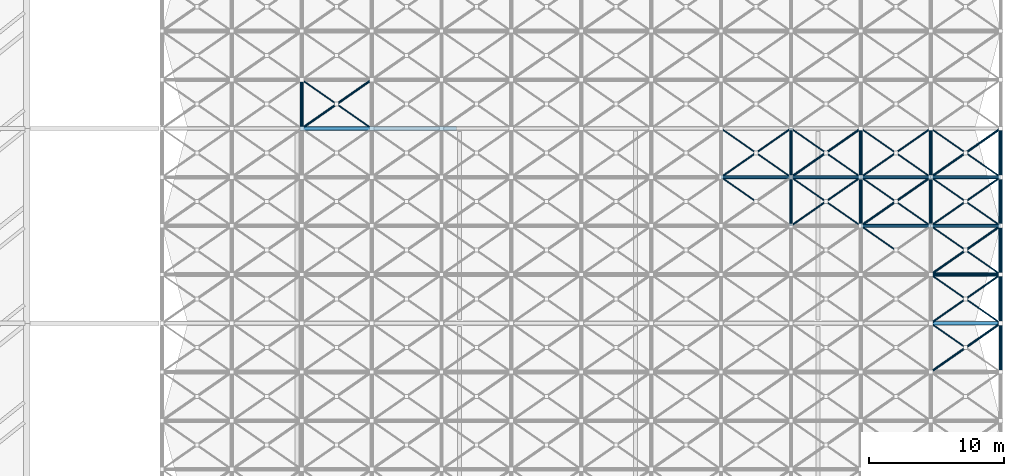
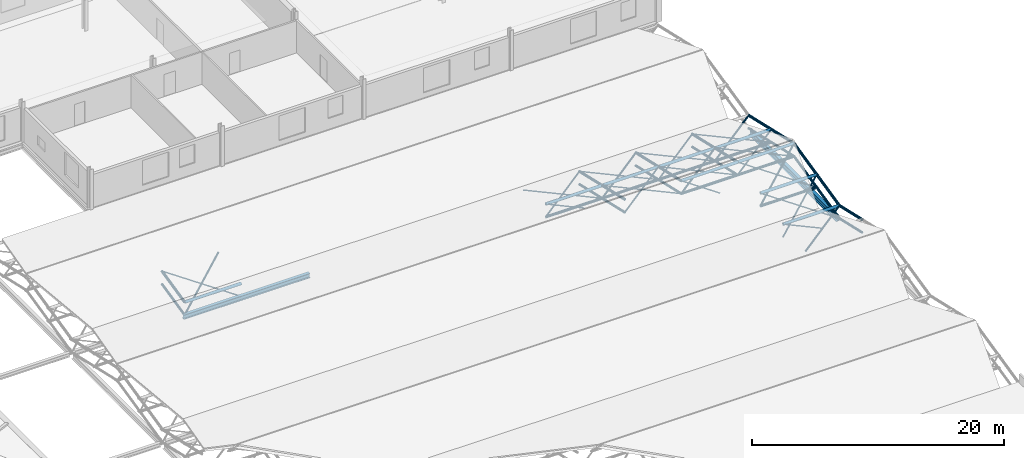
# One storey, part 45 of 110: 74 members, 2 beams.
"""IFC4 building model written with IfcOpenShell, lengths in metres."""

from ifc_helpers import new_model, si_unit, direction, frame, origin, origin_2d, place, context, subcontext, project, spatial, hollow_circle, i_section, extrude, material, material_profile, profile_set, type_object, element, save


model = new_model("IFC4")

# Units and contexts
model_context = context("Model", 3, precision=1e-05, world=origin(), true_north=direction((0.0, 1.0)))
body_context = subcontext(model_context, "Body", "Model", "MODEL_VIEW")
ifc_project = project(units=[si_unit("LENGTHUNIT", "METRE"), si_unit("AREAUNIT", "SQUARE_METRE"), si_unit("VOLUMEUNIT", "CUBIC_METRE"), si_unit("PLANEANGLEUNIT", "RADIAN"), si_unit("MASSUNIT", "GRAM", prefix="KILO")], contexts=[model_context])

# Site, building, storey
site_placement = place(None, origin())
site = spatial("IfcSite", under=ifc_project, at=site_placement, CompositionType="ELEMENT")
building_placement = place(site_placement, origin())
building = spatial("IfcBuilding", under=site, at=building_placement, Name="Tamarisk Ironworks Central Station", CompositionType="ELEMENT")
storey_placement = place(building_placement, frame((0.0, 0.0, 17.39990234375)))
storey = spatial("IfcBuildingStorey", under=building, at=storey_placement, Name="L03", CompositionType="ELEMENT", Elevation=17.39990234375)

# Beams
ifc_material_1 = material(Name="Structural steel S355J2", Category="steel")
ifc_material_profile_1 = material_profile(ifc_material_1, i_section(OverallWidth=0.300048828125, OverallDepth=0.5400390625, WebThickness=0.012451171875, FlangeThickness=0.02392578125, at=origin_2d()), Name="HEA 550")
ifc_profile_set_1 = profile_set([ifc_material_profile_1], Name="Structural steel S355J2")
beam_type_1 = type_object("IfcBeamType", Name="BM-G04", PredefinedType="BEAM", material=ifc_profile_set_1)
beam_1_placement = place(storey_placement, frame((180.0, 50.637939453125, -1.869873046875), z_axis=(0.0, 1.0, 0.0), x_axis=(-1.0, 0.0, 0.0)))
element("IfcBeam", 1, at=beam_1_placement, inside=storey, type_object=beam_type_1, Name="L03 primary girder Y-0621", PredefinedType="BEAM", context=body_context, shape_type="SweptSolid", body=[
    extrude(i_section(OverallWidth=0.300048828125, OverallDepth=0.5400390625, WebThickness=0.012451171875, FlangeThickness=0.02392578125, at=origin_2d()), origin(), (0.0, 0.0, 1.0), 13.924072265625),
])
ifc_material_profile_2 = material_profile(ifc_material_1, i_section(OverallWidth=0.300048828125, OverallDepth=0.43994140625, WebThickness=0.011474609375, FlangeThickness=0.02099609375, at=origin_2d()), Name="HEA 450")
ifc_profile_set_2 = profile_set([ifc_material_profile_2], Name="Structural steel S355J2")
beam_type_2 = type_object("IfcBeamType", Name="BM-G06", PredefinedType="BEAM", material=ifc_profile_set_2)
beam_2_placement = place(storey_placement, frame((128.191162109375, 64.800048828125, -1.81982421875), z_axis=(1.0, 0.0, 0.0), x_axis=(0.0, 1.0, 0.0)))
element("IfcBeam", 2, at=beam_2_placement, inside=storey, type_object=beam_type_2, Name="L03 primary girder X-0573", PredefinedType="BEAM", context=body_context, shape_type="SweptSolid", body=[
    extrude(i_section(OverallWidth=0.300048828125, OverallDepth=0.43994140625, WebThickness=0.011474609375, FlangeThickness=0.02099609375, at=origin_2d()), origin(), (0.0, 0.0, 1.0), 11.56689453125),
])

# Members
ifc_material_2 = material(Name="Structural steel S355J2H", Category="steel")
ifc_material_profile_3 = material_profile(ifc_material_2, hollow_circle(Radius=0.136474609375, WallThickness=0.012451171875, at=origin_2d()), Name="CHS 273x12.5")
ifc_profile_set_3 = profile_set([ifc_material_profile_3], Name="Structural steel S355J2H")
member_type_1 = type_object("IfcMemberType", Name="MB-SFC01", PredefinedType="CHORD", material=ifc_profile_set_3)
for number, where, z_axis, x_axis, name in (
    (3, (174.833251953125, 50.39990234375, -0.469970703125), (1.0, 0.0, 0.0), (0.0, 1.0, 0.0), "Train shed space-frame top chord 1394"),
    (4, (174.833251953125, 54.0, 0.35498046875), (1.0, 0.0, 0.0), (0.0, 1.0, 0.0), "Train shed space-frame top chord 1642"),
):
    element("IfcMember", number, at=place(storey_placement, frame(where, z_axis=z_axis, x_axis=x_axis)), inside=storey, type_object=member_type_1, Name=name, PredefinedType="CHORD", context=body_context, shape_type="SweptSolid", body=[
        extrude(hollow_circle(Radius=0.136474609375, WallThickness=0.012451171875, at=origin_2d()), origin(), (0.0, 0.0, 1.0), 5.166748046875),
    ])
member_1_placement = place(storey_placement, frame((169.666748046875, 57.60009765625, 1.18017578125), z_axis=(1.0, 0.0, 0.0), x_axis=(0.0, 1.0, 0.0)))
element("IfcMember", 5, at=member_1_placement, inside=storey, type_object=member_type_1, Name="Train shed space-frame top chord 1653", PredefinedType="CHORD", context=body_context, shape_type="SweptSolid", body=[
    extrude(hollow_circle(Radius=0.136474609375, WallThickness=0.012451171875, at=origin_2d()), origin(), (0.0, 0.0, 1.0), 5.16650390625),
])
for number, where, z_axis, x_axis, name in (
    (6, (174.833251953125, 57.60009765625, 1.18017578125), (1.0, 0.0, 0.0), (0.0, 1.0, 0.0), "Train shed space-frame top chord 1654"),
    (7, (159.333251953125, 61.199951171875, 0.35498046875), (1.0, 0.0, 0.0), (0.0, 1.0, 0.0), "Train shed space-frame top chord 1663"),
    (8, (164.5, 61.199951171875, 0.35498046875), (1.0, 0.0, 0.0), (0.0, 1.0, 0.0), "Train shed space-frame top chord 1664"),
):
    element("IfcMember", number, at=place(storey_placement, frame(where, z_axis=z_axis, x_axis=x_axis)), inside=storey, type_object=member_type_1, Name=name, PredefinedType="CHORD", context=body_context, shape_type="SweptSolid", body=[
        extrude(hollow_circle(Radius=0.136474609375, WallThickness=0.012451171875, at=origin_2d()), origin(), (0.0, 0.0, 1.0), 5.166748046875),
    ])
member_2_placement = place(storey_placement, frame((169.666748046875, 61.199951171875, 0.35498046875), z_axis=(1.0, 0.0, 0.0), x_axis=(0.0, 1.0, 0.0)))
element("IfcMember", 9, at=member_2_placement, inside=storey, type_object=member_type_1, Name="Train shed space-frame top chord 1665", PredefinedType="CHORD", context=body_context, shape_type="SweptSolid", body=[
    extrude(hollow_circle(Radius=0.136474609375, WallThickness=0.012451171875, at=origin_2d()), origin(), (0.0, 0.0, 1.0), 5.16650390625),
])
for number, where, z_axis, x_axis, name in (
    (10, (174.833251953125, 61.199951171875, 0.35498046875), (1.0, 0.0, 0.0), (0.0, 1.0, 0.0), "Train shed space-frame top chord 1666"),
    (11, (128.333251953125, 64.800048828125, -0.469970703125), (1.0, 0.0, 0.0), (0.0, 1.0, 0.0), "Train shed space-frame top chord 1669"),
):
    element("IfcMember", number, at=place(storey_placement, frame(where, z_axis=z_axis, x_axis=x_axis)), inside=storey, type_object=member_type_1, Name=name, PredefinedType="CHORD", context=body_context, shape_type="SweptSolid", body=[
        extrude(hollow_circle(Radius=0.136474609375, WallThickness=0.012451171875, at=origin_2d()), origin(), (0.0, 0.0, 1.0), 5.166748046875),
    ])
ifc_material_profile_4 = material_profile(ifc_material_2, hollow_circle(Radius=0.122314453125, WallThickness=0.012451171875, at=origin_2d()), Name="CHS 244.5x12.5")
ifc_profile_set_4 = profile_set([ifc_material_profile_4], Name="Structural steel S355J2H")
member_type_2 = type_object("IfcMemberType", Name="MB-SFC02", PredefinedType="CHORD", material=ifc_profile_set_4)
member_3_placement = place(storey_placement, frame((180.0, 46.800048828125, 0.35498046875), z_axis=(0.0, 0.974733218107, -0.223372230857), x_axis=(-1.0, 0.0, 0.0)))
element("IfcMember", 12, at=member_3_placement, inside=storey, type_object=member_type_2, Name="Train shed space-frame top transverse chord 1446", PredefinedType="CHORD", context=body_context, shape_type="SweptSolid", body=[
    extrude(hollow_circle(Radius=0.122314453125, WallThickness=0.012451171875, at=origin_2d()), origin(), (0.0, 0.0, 1.0), 3.693115234375),
])
member_4_placement = place(storey_placement, frame((174.833251953125, 54.0, -0.89501953125), z_axis=(1.0, 0.0, 0.0), x_axis=(0.0, 1.0, 0.0)))
element("IfcMember", 13, at=member_4_placement, inside=storey, type_object=member_type_2, Name="Train shed space-frame bottom chord 1554", PredefinedType="CHORD", context=body_context, shape_type="SweptSolid", body=[
    extrude(hollow_circle(Radius=0.122314453125, WallThickness=0.012451171875, at=origin_2d()), origin(), (0.0, 0.0, 1.0), 5.166748046875),
])
member_5_placement = place(storey_placement, frame((169.666748046875, 57.60009765625, -0.06982421875), z_axis=(1.0, 0.0, 0.0), x_axis=(0.0, 1.0, 0.0)))
element("IfcMember", 14, at=member_5_placement, inside=storey, type_object=member_type_2, Name="Train shed space-frame bottom chord 1565", PredefinedType="CHORD", context=body_context, shape_type="SweptSolid", body=[
    extrude(hollow_circle(Radius=0.122314453125, WallThickness=0.012451171875, at=origin_2d()), origin(), (0.0, 0.0, 1.0), 5.16650390625),
])
for number, where, z_axis, x_axis, name in (
    (15, (174.833251953125, 57.60009765625, -0.06982421875), (1.0, 0.0, 0.0), (0.0, 1.0, 0.0), "Train shed space-frame bottom chord 1566"),
    (16, (159.333251953125, 61.199951171875, -0.89501953125), (1.0, 0.0, 0.0), (0.0, 1.0, 0.0), "Train shed space-frame bottom chord 1575"),
    (17, (164.5, 61.199951171875, -0.89501953125), (1.0, 0.0, 0.0), (0.0, 1.0, 0.0), "Train shed space-frame bottom chord 1576"),
):
    element("IfcMember", number, at=place(storey_placement, frame(where, z_axis=z_axis, x_axis=x_axis)), inside=storey, type_object=member_type_2, Name=name, PredefinedType="CHORD", context=body_context, shape_type="SweptSolid", body=[
        extrude(hollow_circle(Radius=0.122314453125, WallThickness=0.012451171875, at=origin_2d()), origin(), (0.0, 0.0, 1.0), 5.166748046875),
    ])
member_6_placement = place(storey_placement, frame((169.666748046875, 61.199951171875, -0.89501953125), z_axis=(1.0, 0.0, 0.0), x_axis=(0.0, 1.0, 0.0)))
element("IfcMember", 18, at=member_6_placement, inside=storey, type_object=member_type_2, Name="Train shed space-frame bottom chord 1577", PredefinedType="CHORD", context=body_context, shape_type="SweptSolid", body=[
    extrude(hollow_circle(Radius=0.122314453125, WallThickness=0.012451171875, at=origin_2d()), origin(), (0.0, 0.0, 1.0), 5.16650390625),
])
member_7_placement = place(storey_placement, frame((174.833251953125, 61.199951171875, -0.89501953125), z_axis=(1.0, 0.0, 0.0), x_axis=(0.0, 1.0, 0.0)))
element("IfcMember", 19, at=member_7_placement, inside=storey, type_object=member_type_2, Name="Train shed space-frame bottom chord 1578", PredefinedType="CHORD", context=body_context, shape_type="SweptSolid", body=[
    extrude(hollow_circle(Radius=0.122314453125, WallThickness=0.012451171875, at=origin_2d()), origin(), (0.0, 0.0, 1.0), 5.166748046875),
])
member_8_placement = place(storey_placement, frame((164.5, 57.60009765625, 1.18017578125), z_axis=(0.0, 0.974718823144, -0.223435037113), x_axis=(-1.0, 0.0, 0.0)))
element("IfcMember", 20, at=member_8_placement, inside=storey, type_object=member_type_2, Name="Train shed space-frame top transverse chord 1717", PredefinedType="CHORD", context=body_context, shape_type="SweptSolid", body=[
    extrude(hollow_circle(Radius=0.122314453125, WallThickness=0.012451171875, at=origin_2d()), origin(), (0.0, 0.0, 1.0), 3.693115234375),
])
member_9_placement = place(storey_placement, frame((164.5, 61.199951171875, 0.35498046875), z_axis=(0.0, 0.974736516158, -0.223357838607), x_axis=(-1.0, 0.0, 0.0)))
element("IfcMember", 21, at=member_9_placement, inside=storey, type_object=member_type_2, Name="Train shed space-frame top transverse chord 1718", PredefinedType="CHORD", context=body_context, shape_type="SweptSolid", body=[
    extrude(hollow_circle(Radius=0.122314453125, WallThickness=0.012451171875, at=origin_2d()), origin(), (0.0, 0.0, 1.0), 3.693359375),
])
member_10_placement = place(storey_placement, frame((169.666748046875, 57.60009765625, 1.18017578125), z_axis=(0.0, 0.974718823144, -0.223435037113), x_axis=(-1.0, 0.0, 0.0)))
element("IfcMember", 22, at=member_10_placement, inside=storey, type_object=member_type_2, Name="Train shed space-frame top transverse chord 1721", PredefinedType="CHORD", context=body_context, shape_type="SweptSolid", body=[
    extrude(hollow_circle(Radius=0.122314453125, WallThickness=0.012451171875, at=origin_2d()), origin(), (0.0, 0.0, 1.0), 3.693115234375),
])
member_11_placement = place(storey_placement, frame((169.666748046875, 61.199951171875, 0.35498046875), z_axis=(0.0, 0.974736516158, -0.223357838607), x_axis=(-1.0, 0.0, 0.0)))
element("IfcMember", 23, at=member_11_placement, inside=storey, type_object=member_type_2, Name="Train shed space-frame top transverse chord 1722", PredefinedType="CHORD", context=body_context, shape_type="SweptSolid", body=[
    extrude(hollow_circle(Radius=0.122314453125, WallThickness=0.012451171875, at=origin_2d()), origin(), (0.0, 0.0, 1.0), 3.693359375),
])
member_12_placement = place(storey_placement, frame((174.833251953125, 57.60009765625, 1.18017578125), z_axis=(0.0, 0.974718823144, -0.223435037113), x_axis=(-1.0, 0.0, 0.0)))
element("IfcMember", 24, at=member_12_placement, inside=storey, type_object=member_type_2, Name="Train shed space-frame top transverse chord 1725", PredefinedType="CHORD", context=body_context, shape_type="SweptSolid", body=[
    extrude(hollow_circle(Radius=0.122314453125, WallThickness=0.012451171875, at=origin_2d()), origin(), (0.0, 0.0, 1.0), 3.693115234375),
])
for number, where, z_axis, x_axis, name in (
    (25, (174.833251953125, 61.199951171875, 0.35498046875), (0.0, 0.974736516158, -0.223357838607), (-1.0, 0.0, 0.0), "Train shed space-frame top transverse chord 1726"),
    (26, (180.0, 50.39990234375, -0.469970703125), (0.0, 0.974736516158, 0.223357838607), (-1.0, 0.0, 0.0), "Train shed space-frame top transverse chord 1727"),
    (27, (180.0, 54.0, 0.35498046875), (0.0, 0.974722123001, 0.223420641241), (-1.0, 0.0, 0.0), "Train shed space-frame top transverse chord 1728"),
):
    element("IfcMember", number, at=place(storey_placement, frame(where, z_axis=z_axis, x_axis=x_axis)), inside=storey, type_object=member_type_2, Name=name, PredefinedType="CHORD", context=body_context, shape_type="SweptSolid", body=[
        extrude(hollow_circle(Radius=0.122314453125, WallThickness=0.012451171875, at=origin_2d()), origin(), (0.0, 0.0, 1.0), 3.693359375),
    ])
member_13_placement = place(storey_placement, frame((180.0, 57.60009765625, 1.18017578125), z_axis=(0.0, 0.974718823144, -0.223435037113), x_axis=(-1.0, 0.0, 0.0)))
element("IfcMember", 28, at=member_13_placement, inside=storey, type_object=member_type_2, Name="Train shed space-frame top transverse chord 1729", PredefinedType="CHORD", context=body_context, shape_type="SweptSolid", body=[
    extrude(hollow_circle(Radius=0.122314453125, WallThickness=0.012451171875, at=origin_2d()), origin(), (0.0, 0.0, 1.0), 3.693115234375),
])
member_14_placement = place(storey_placement, frame((180.0, 61.199951171875, 0.35498046875), z_axis=(0.0, 0.974736516158, -0.223357838607), x_axis=(-1.0, 0.0, 0.0)))
element("IfcMember", 29, at=member_14_placement, inside=storey, type_object=member_type_2, Name="Train shed space-frame top transverse chord 1730", PredefinedType="CHORD", context=body_context, shape_type="SweptSolid", body=[
    extrude(hollow_circle(Radius=0.122314453125, WallThickness=0.012451171875, at=origin_2d()), origin(), (0.0, 0.0, 1.0), 3.693359375),
])
member_15_placement = place(storey_placement, frame((128.333251953125, 64.800048828125, -0.469970703125), z_axis=(0.0, 0.974733218107, 0.223372230857), x_axis=(-1.0, 0.0, 0.0)))
element("IfcMember", 30, at=member_15_placement, inside=storey, type_object=member_type_2, Name="Train shed space-frame top transverse chord 1971", PredefinedType="CHORD", context=body_context, shape_type="SweptSolid", body=[
    extrude(hollow_circle(Radius=0.122314453125, WallThickness=0.012451171875, at=origin_2d()), origin(), (0.0, 0.0, 1.0), 3.693115234375),
])
ifc_material_profile_5 = material_profile(ifc_material_2, hollow_circle(Radius=0.109619140625, WallThickness=0.010009765625, at=origin_2d()), Name="CHS 219.1x10")
ifc_profile_set_5 = profile_set([ifc_material_profile_5], Name="Structural steel S355J2H")
member_type_3 = type_object("IfcMemberType", Name="MB-SFC03", PredefinedType="CHORD", material=ifc_profile_set_5)
for number, where, z_axis, x_axis, name in (
    (31, (180.0, 46.800048828125, -0.89501953125), (0.0, 0.974733218107, -0.223372230857), (-1.0, 0.0, 0.0), "Train shed space-frame transverse chord 1346"),
    (32, (164.5, 57.60009765625, -0.06982421875), (0.0, 0.974718823144, -0.223435037113), (-1.0, 0.0, 0.0), "Train shed space-frame transverse chord 1617"),
):
    element("IfcMember", number, at=place(storey_placement, frame(where, z_axis=z_axis, x_axis=x_axis)), inside=storey, type_object=member_type_3, Name=name, PredefinedType="CHORD", context=body_context, shape_type="SweptSolid", body=[
        extrude(hollow_circle(Radius=0.109619140625, WallThickness=0.010009765625, at=origin_2d()), origin(), (0.0, 0.0, 1.0), 3.693115234375),
    ])
member_16_placement = place(storey_placement, frame((164.5, 61.199951171875, -0.89501953125), z_axis=(0.0, 0.974736516158, -0.223357838607), x_axis=(-1.0, 0.0, 0.0)))
element("IfcMember", 33, at=member_16_placement, inside=storey, type_object=member_type_3, Name="Train shed space-frame transverse chord 1618", PredefinedType="CHORD", context=body_context, shape_type="SweptSolid", body=[
    extrude(hollow_circle(Radius=0.109619140625, WallThickness=0.010009765625, at=origin_2d()), origin(), (0.0, 0.0, 1.0), 3.693359375),
])
member_17_placement = place(storey_placement, frame((169.666748046875, 57.60009765625, -0.06982421875), z_axis=(0.0, 0.974718823144, -0.223435037113), x_axis=(-1.0, 0.0, 0.0)))
element("IfcMember", 34, at=member_17_placement, inside=storey, type_object=member_type_3, Name="Train shed space-frame transverse chord 1621", PredefinedType="CHORD", context=body_context, shape_type="SweptSolid", body=[
    extrude(hollow_circle(Radius=0.109619140625, WallThickness=0.010009765625, at=origin_2d()), origin(), (0.0, 0.0, 1.0), 3.693115234375),
])
member_18_placement = place(storey_placement, frame((169.666748046875, 61.199951171875, -0.89501953125), z_axis=(0.0, 0.974736516158, -0.223357838607), x_axis=(-1.0, 0.0, 0.0)))
element("IfcMember", 35, at=member_18_placement, inside=storey, type_object=member_type_3, Name="Train shed space-frame transverse chord 1622", PredefinedType="CHORD", context=body_context, shape_type="SweptSolid", body=[
    extrude(hollow_circle(Radius=0.109619140625, WallThickness=0.010009765625, at=origin_2d()), origin(), (0.0, 0.0, 1.0), 3.693359375),
])
member_19_placement = place(storey_placement, frame((174.833251953125, 57.60009765625, -0.06982421875), z_axis=(0.0, 0.974718823144, -0.223435037113), x_axis=(-1.0, 0.0, 0.0)))
element("IfcMember", 36, at=member_19_placement, inside=storey, type_object=member_type_3, Name="Train shed space-frame transverse chord 1625", PredefinedType="CHORD", context=body_context, shape_type="SweptSolid", body=[
    extrude(hollow_circle(Radius=0.109619140625, WallThickness=0.010009765625, at=origin_2d()), origin(), (0.0, 0.0, 1.0), 3.693115234375),
])
for number, where, z_axis, x_axis, name in (
    (37, (174.833251953125, 61.199951171875, -0.89501953125), (0.0, 0.974736516158, -0.223357838607), (-1.0, 0.0, 0.0), "Train shed space-frame transverse chord 1626"),
    (38, (180.0, 50.39990234375, -1.719970703125), (0.0, 0.974736516158, 0.223357838607), (-1.0, 0.0, 0.0), "Train shed space-frame transverse chord 1627"),
    (39, (180.0, 54.0, -0.89501953125), (0.0, 0.974722123001, 0.223420641241), (-1.0, 0.0, 0.0), "Train shed space-frame transverse chord 1628"),
):
    element("IfcMember", number, at=place(storey_placement, frame(where, z_axis=z_axis, x_axis=x_axis)), inside=storey, type_object=member_type_3, Name=name, PredefinedType="CHORD", context=body_context, shape_type="SweptSolid", body=[
        extrude(hollow_circle(Radius=0.109619140625, WallThickness=0.010009765625, at=origin_2d()), origin(), (0.0, 0.0, 1.0), 3.693359375),
    ])
member_20_placement = place(storey_placement, frame((180.0, 57.60009765625, -0.06982421875), z_axis=(0.0, 0.974718823144, -0.223435037113), x_axis=(-1.0, 0.0, 0.0)))
element("IfcMember", 40, at=member_20_placement, inside=storey, type_object=member_type_3, Name="Train shed space-frame transverse chord 1629", PredefinedType="CHORD", context=body_context, shape_type="SweptSolid", body=[
    extrude(hollow_circle(Radius=0.109619140625, WallThickness=0.010009765625, at=origin_2d()), origin(), (0.0, 0.0, 1.0), 3.693115234375),
])
member_21_placement = place(storey_placement, frame((180.0, 61.199951171875, -0.89501953125), z_axis=(0.0, 0.974736516158, -0.223357838607), x_axis=(-1.0, 0.0, 0.0)))
element("IfcMember", 41, at=member_21_placement, inside=storey, type_object=member_type_3, Name="Train shed space-frame transverse chord 1630", PredefinedType="CHORD", context=body_context, shape_type="SweptSolid", body=[
    extrude(hollow_circle(Radius=0.109619140625, WallThickness=0.010009765625, at=origin_2d()), origin(), (0.0, 0.0, 1.0), 3.693359375),
])
member_22_placement = place(storey_placement, frame((128.333251953125, 64.800048828125, -1.719970703125), z_axis=(0.0, 0.974733218107, 0.223372230857), x_axis=(-1.0, 0.0, 0.0)))
element("IfcMember", 42, at=member_22_placement, inside=storey, type_object=member_type_3, Name="Train shed space-frame transverse chord 1871", PredefinedType="CHORD", context=body_context, shape_type="SweptSolid", body=[
    extrude(hollow_circle(Radius=0.109619140625, WallThickness=0.010009765625, at=origin_2d()), origin(), (0.0, 0.0, 1.0), 3.693115234375),
])
ifc_material_profile_6 = material_profile(ifc_material_2, hollow_circle(Radius=0.084228515625, WallThickness=0.010009765625, at=origin_2d()), Name="CHS 168.3x10")
ifc_profile_set_6 = profile_set([ifc_material_profile_6], Name="Structural steel S355J2H")
member_type_4 = type_object("IfcMemberType", Name="MB-SFD01", PredefinedType="BRACE", material=ifc_profile_set_6)
for number, where, z_axis, x_axis, name in (
    (43, (174.833251953125, 46.800048828125, -0.89501953125), (0.818625810636, 0.570365145671, 0.067345250499), (-0.57166297408, 0.820488539875, 0.0), "Train shed space-frame diagonal 1541"),
    (44, (164.5, 61.199951171875, -0.89501953125), (0.818607749421, 0.570391242875, 0.067343764671), (-0.571689073201, 0.82047035509, 0.0), "Train shed space-frame diagonal 1809"),
):
    element("IfcMember", number, at=place(storey_placement, frame(where, z_axis=z_axis, x_axis=x_axis)), inside=storey, type_object=member_type_4, Name=name, PredefinedType="BRACE", context=body_context, shape_type="SweptSolid", body=[
        extrude(hollow_circle(Radius=0.084228515625, WallThickness=0.010009765625, at=origin_2d()), origin(), (0.0, 0.0, 1.0), 6.3115234375),
    ])
member_23_placement = place(storey_placement, frame((169.666748046875, 57.60009765625, -0.06982421875), z_axis=(0.818615182779, 0.570384692849, 0.06730887525), x_axis=(-0.571681159291, 0.820475869305, 0.0)))
element("IfcMember", 45, at=member_23_placement, inside=storey, type_object=member_type_4, Name="Train shed space-frame diagonal 1815", PredefinedType="BRACE", context=body_context, shape_type="SweptSolid", body=[
    extrude(hollow_circle(Radius=0.084228515625, WallThickness=0.010009765625, at=origin_2d()), origin(), (0.0, 0.0, 1.0), 6.311279296875),
])
member_24_placement = place(storey_placement, frame((174.833251953125, 54.0, -0.89501953125), z_axis=(0.779249385031, 0.542967038306, 0.312981135603), x_axis=(-0.571689073201, 0.82047035509, 0.0)))
element("IfcMember", 46, at=member_24_placement, inside=storey, type_object=member_type_4, Name="Train shed space-frame diagonal 1821", PredefinedType="BRACE", context=body_context, shape_type="SweptSolid", body=[
    extrude(hollow_circle(Radius=0.084228515625, WallThickness=0.010009765625, at=origin_2d()), origin(), (0.0, 0.0, 1.0), 6.63037109375),
])
member_25_placement = place(storey_placement, frame((174.833251953125, 61.199951171875, -0.89501953125), z_axis=(0.818607749421, 0.570391242875, 0.067343764671), x_axis=(-0.571689073201, 0.82047035509, 0.0)))
element("IfcMember", 47, at=member_25_placement, inside=storey, type_object=member_type_4, Name="Train shed space-frame diagonal 1825", PredefinedType="BRACE", context=body_context, shape_type="SweptSolid", body=[
    extrude(hollow_circle(Radius=0.084228515625, WallThickness=0.010009765625, at=origin_2d()), origin(), (0.0, 0.0, 1.0), 6.3115234375),
])
member_26_placement = place(storey_placement, frame((128.333251953125, 64.800048828125, -1.719970703125), z_axis=(0.779273944842, 0.542947328672, 0.312954177442), x_axis=(-0.57166297408, 0.820488539875, 0.0)))
element("IfcMember", 48, at=member_26_placement, inside=storey, type_object=member_type_4, Name="Train shed space-frame diagonal 2031", PredefinedType="BRACE", context=body_context, shape_type="SweptSolid", body=[
    extrude(hollow_circle(Radius=0.084228515625, WallThickness=0.010009765625, at=origin_2d()), origin(), (0.0, 0.0, 1.0), 6.630126953125),
])
ifc_material_profile_7 = material_profile(ifc_material_2, hollow_circle(Radius=0.06982421875, WallThickness=0.008056640625, at=origin_2d()), Name="CHS 139.7x8")
ifc_profile_set_7 = profile_set([ifc_material_profile_7], Name="Structural steel S355J2H")
member_type_5 = type_object("IfcMemberType", Name="MB-SFD02", PredefinedType="BRACE", material=ifc_profile_set_7)
for number, where, z_axis, x_axis, name in (
    (49, (159.333251953125, 61.199951171875, -0.89501953125), (0.818607749421, 0.570391242875, 0.067343764671), (-0.571689073201, 0.82047035509, 0.0), "Train shed space-frame diagonal 1801"),
    (50, (164.5, 57.60009765625, -0.06982421875), (0.818627942589, 0.570366631076, 0.06730674385), (-0.57166297408, 0.820488539875, 0.0), "Train shed space-frame diagonal 1807"),
    (51, (169.666748046875, 61.199951171875, -0.89501953125), (0.818594988647, 0.570409304536, 0.067345897138), (-0.571707258436, 0.820457683645, 0.0), "Train shed space-frame diagonal 1817"),
):
    element("IfcMember", number, at=place(storey_placement, frame(where, z_axis=z_axis, x_axis=x_axis)), inside=storey, type_object=member_type_5, Name=name, PredefinedType="BRACE", context=body_context, shape_type="SweptSolid", body=[
        extrude(hollow_circle(Radius=0.06982421875, WallThickness=0.008056640625, at=origin_2d()), origin(), (0.0, 0.0, 1.0), 6.3115234375),
    ])
member_27_placement = place(storey_placement, frame((174.833251953125, 50.39990234375, -1.719970703125), z_axis=(0.77925836502, 0.542973295402, 0.312947920631), x_axis=(-0.571689073201, 0.82047035509, 0.0)))
element("IfcMember", 52, at=member_27_placement, inside=storey, type_object=member_type_5, Name="Train shed space-frame diagonal 1819", PredefinedType="BRACE", context=body_context, shape_type="SweptSolid", body=[
    extrude(hollow_circle(Radius=0.06982421875, WallThickness=0.008056640625, at=origin_2d()), origin(), (0.0, 0.0, 1.0), 6.63037109375),
])
member_28_placement = place(storey_placement, frame((174.833251953125, 57.60009765625, -0.06982421875), z_axis=(0.818627942589, 0.570366631076, 0.06730674385), x_axis=(-0.57166297408, 0.820488539875, 0.0)))
element("IfcMember", 53, at=member_28_placement, inside=storey, type_object=member_type_5, Name="Train shed space-frame diagonal 1823", PredefinedType="BRACE", context=body_context, shape_type="SweptSolid", body=[
    extrude(hollow_circle(Radius=0.06982421875, WallThickness=0.008056640625, at=origin_2d()), origin(), (0.0, 0.0, 1.0), 6.3115234375),
])
ifc_material_profile_8 = material_profile(ifc_material_2, hollow_circle(Radius=0.05712890625, WallThickness=0.00634765625, at=origin_2d()), Name="CHS 114.3x6.3")
ifc_profile_set_8 = profile_set([ifc_material_profile_8], Name="Structural steel S355J2H")
member_type_6 = type_object("IfcMemberType", Name="MB-SFD03", PredefinedType="BRACE", material=ifc_profile_set_8)
for number, where, z_axis, x_axis, name in (
    (54, (177.37158203125, 48.63134765625, -0.6787109375), (-0.81862545828, 0.570368646704, 0.067319877544), (-0.571665501983, -0.820486778591, 0.0), "Train shed space-frame split counter-diagonal upper 1542"),
    (55, (161.87158203125, 59.431396484375, 0.146240234375), (-0.81862545828, 0.570368646704, 0.067319877544), (-0.571665501983, -0.820486778591, 0.0), "Train shed space-frame split counter-diagonal upper 1800"),
    (56, (164.5, 61.199951171875, -0.89501953125), (-0.818621116616, 0.570365621695, 0.067398256788), (-0.571665501983, -0.820486778591, 0.0), "Train shed space-frame split counter-diagonal lower 1802"),
    (57, (161.87158203125, 63.031494140625, -0.6787109375), (-0.81862545828, 0.570368646704, 0.067319877544), (-0.571665501983, -0.820486778591, 0.0), "Train shed space-frame split counter-diagonal upper 1802"),
    (58, (169.666748046875, 57.60009765625, -0.06982421875), (-0.81862545828, 0.570368646704, 0.067319877544), (-0.571665501983, -0.820486778591, 0.0), "Train shed space-frame split counter-diagonal lower 1808"),
    (59, (167.038330078125, 59.431396484375, 0.146240234375), (-0.81862545828, 0.570368646704, 0.067319877544), (-0.571665501983, -0.820486778591, 0.0), "Train shed space-frame split counter-diagonal upper 1808"),
    (60, (169.666748046875, 61.199951171875, -0.89501953125), (-0.818621116616, 0.570365621695, 0.067398256788), (-0.571665501983, -0.820486778591, 0.0), "Train shed space-frame split counter-diagonal lower 1810"),
    (61, (167.038330078125, 63.031494140625, -0.6787109375), (-0.81862545828, 0.570368646704, 0.067319877544), (-0.571665501983, -0.820486778591, 0.0), "Train shed space-frame split counter-diagonal upper 1810"),
):
    element("IfcMember", number, at=place(storey_placement, frame(where, z_axis=z_axis, x_axis=x_axis)), inside=storey, type_object=member_type_6, Name=name, PredefinedType="BRACE", context=body_context, shape_type="SweptSolid", body=[
        extrude(hollow_circle(Radius=0.05712890625, WallThickness=0.00634765625, at=origin_2d()), origin(), (0.0, 0.0, 1.0), 3.100830078125),
    ])
member_29_placement = place(storey_placement, frame((172.20703125, 55.829833984375, 0.159912109375), z_axis=(-0.779220271205, 0.543020296637, 0.312961221852), x_axis=(-0.571741198525, -0.820434032637, 0.0)))
element("IfcMember", 62, at=member_29_placement, inside=storey, type_object=member_type_6, Name="Train shed space-frame split counter-diagonal upper 1814", PredefinedType="BRACE", context=body_context, shape_type="SweptSolid", body=[
    extrude(hollow_circle(Radius=0.05712890625, WallThickness=0.00634765625, at=origin_2d()), origin(), (0.0, 0.0, 1.0), 3.260009765625),
])
for number, where, z_axis, x_axis, name in (
    (63, (174.833251953125, 57.60009765625, -0.06982421875), (-0.81862545828, 0.570368646704, 0.067319877544), (-0.571665501983, -0.820486778591, 0.0), "Train shed space-frame split counter-diagonal lower 1816"),
    (64, (172.205078125, 59.431396484375, 0.146240234375), (-0.81862545828, 0.570368646704, 0.067319877544), (-0.571665501983, -0.820486778591, 0.0), "Train shed space-frame split counter-diagonal upper 1816"),
    (65, (174.833251953125, 61.199951171875, -0.89501953125), (-0.818621116616, 0.570365621695, 0.067398256788), (-0.571665501983, -0.820486778591, 0.0), "Train shed space-frame split counter-diagonal lower 1818"),
    (66, (172.205078125, 63.031494140625, -0.6787109375), (-0.81862545828, 0.570368646704, 0.067319877544), (-0.571665501983, -0.820486778591, 0.0), "Train shed space-frame split counter-diagonal upper 1818"),
):
    element("IfcMember", number, at=place(storey_placement, frame(where, z_axis=z_axis, x_axis=x_axis)), inside=storey, type_object=member_type_6, Name=name, PredefinedType="BRACE", context=body_context, shape_type="SweptSolid", body=[
        extrude(hollow_circle(Radius=0.05712890625, WallThickness=0.00634765625, at=origin_2d()), origin(), (0.0, 0.0, 1.0), 3.100830078125),
    ])
for number, where, z_axis, x_axis, name in (
    (67, (180.0, 50.39990234375, -1.719970703125), (-0.779220271205, 0.543020296637, 0.312961221852), (-0.571741198525, -0.820434032637, 0.0), "Train shed space-frame split counter-diagonal lower 1820"),
    (68, (177.373779296875, 52.22998046875, -0.665283203125), (-0.779281371438, 0.542935800781, 0.31295568434), (-0.571651135352, -0.820496788203, 0.0), "Train shed space-frame split counter-diagonal upper 1820"),
    (69, (180.0, 54.0, -0.89501953125), (-0.779233692289, 0.542954759164, 0.313041502525), (-0.571688120068, -0.820471019216, 0.0), "Train shed space-frame split counter-diagonal lower 1822"),
):
    element("IfcMember", number, at=place(storey_placement, frame(where, z_axis=z_axis, x_axis=x_axis)), inside=storey, type_object=member_type_6, Name=name, PredefinedType="BRACE", context=body_context, shape_type="SweptSolid", body=[
        extrude(hollow_circle(Radius=0.05712890625, WallThickness=0.00634765625, at=origin_2d()), origin(), (0.0, 0.0, 1.0), 3.260009765625),
    ])
member_30_placement = place(storey_placement, frame((177.373779296875, 55.829833984375, 0.159912109375), z_axis=(-0.779249686219, 0.542988609915, 0.312942959707), x_axis=(-0.571704213709, -0.820459805248, 0.0)))
element("IfcMember", 70, at=member_30_placement, inside=storey, type_object=member_type_6, Name="Train shed space-frame split counter-diagonal upper 1822", PredefinedType="BRACE", context=body_context, shape_type="SweptSolid", body=[
    extrude(hollow_circle(Radius=0.05712890625, WallThickness=0.00634765625, at=origin_2d()), origin(), (0.0, 0.0, 1.0), 3.26025390625),
])
for number, where, z_axis, x_axis, name in (
    (71, (180.0, 57.60009765625, -0.06982421875), (-0.81862545828, 0.570368646704, 0.067319877544), (-0.571665501983, -0.820486778591, 0.0), "Train shed space-frame split counter-diagonal lower 1824"),
    (72, (177.37158203125, 59.431396484375, 0.146240234375), (-0.81862545828, 0.570368646704, 0.067319877544), (-0.571665501983, -0.820486778591, 0.0), "Train shed space-frame split counter-diagonal upper 1824"),
    (73, (180.0, 61.199951171875, -0.89501953125), (-0.818621116616, 0.570365621695, 0.067398256788), (-0.571665501983, -0.820486778591, 0.0), "Train shed space-frame split counter-diagonal lower 1826"),
    (74, (177.37158203125, 63.031494140625, -0.6787109375), (-0.81862545828, 0.570368646704, 0.067319877544), (-0.571665501983, -0.820486778591, 0.0), "Train shed space-frame split counter-diagonal upper 1826"),
):
    element("IfcMember", number, at=place(storey_placement, frame(where, z_axis=z_axis, x_axis=x_axis)), inside=storey, type_object=member_type_6, Name=name, PredefinedType="BRACE", context=body_context, shape_type="SweptSolid", body=[
        extrude(hollow_circle(Radius=0.05712890625, WallThickness=0.00634765625, at=origin_2d()), origin(), (0.0, 0.0, 1.0), 3.100830078125),
    ])
for number, where, z_axis, x_axis, name in (
    (75, (133.5, 64.800048828125, -1.719970703125), (-0.779251958926, 0.542967486998, 0.312973948712), (-0.571688120068, -0.820471019216, 0.0), "Train shed space-frame split counter-diagonal lower 2032"),
    (76, (130.873779296875, 66.6298828125, -0.665283203125), (-0.779281371438, 0.542935800781, 0.31295568434), (-0.571651135352, -0.820496788203, 0.0), "Train shed space-frame split counter-diagonal upper 2032"),
):
    element("IfcMember", number, at=place(storey_placement, frame(where, z_axis=z_axis, x_axis=x_axis)), inside=storey, type_object=member_type_6, Name=name, PredefinedType="BRACE", context=body_context, shape_type="SweptSolid", body=[
        extrude(hollow_circle(Radius=0.05712890625, WallThickness=0.00634765625, at=origin_2d()), origin(), (0.0, 0.0, 1.0), 3.260009765625),
    ])

save(model, "model.ifc")
